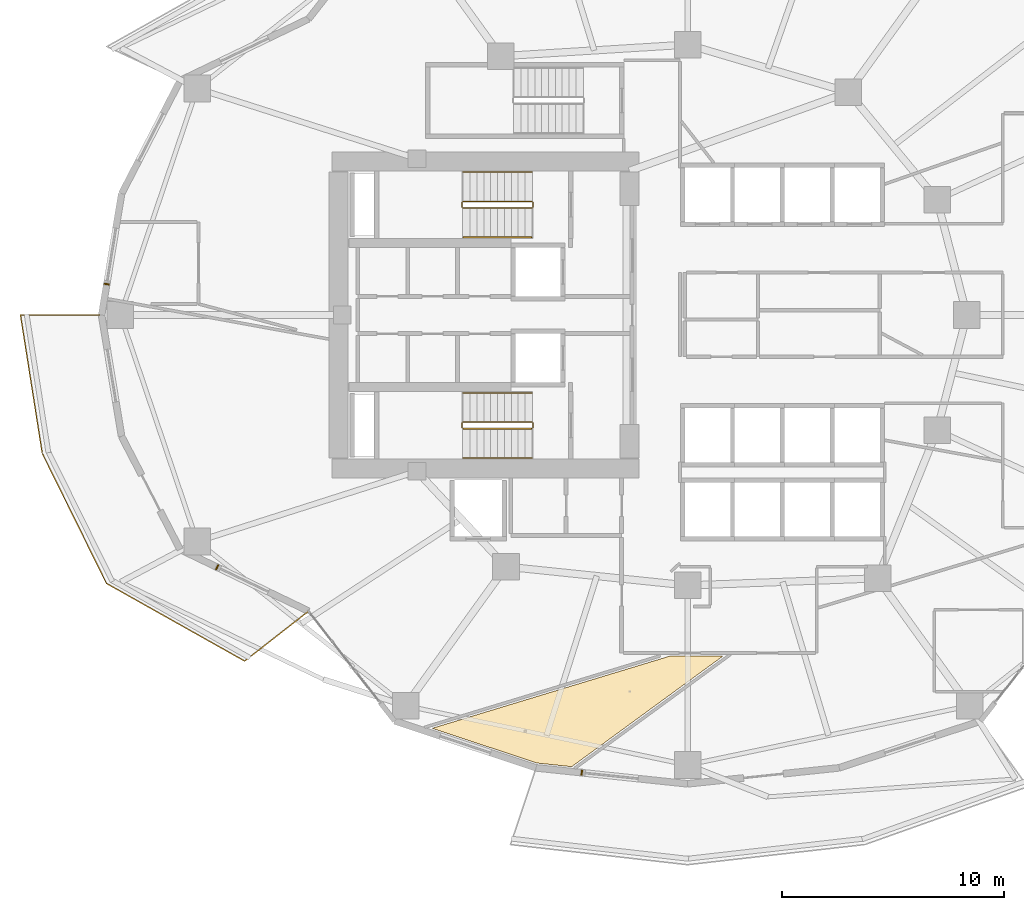
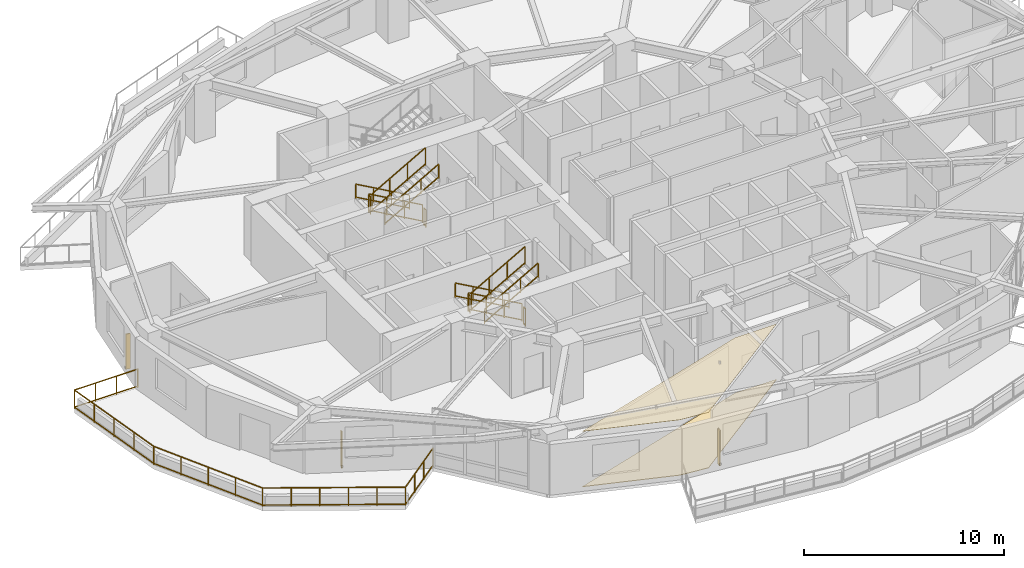
# One storey, part 17 of 19: 13 railings, 3 shading devices, 2 coverings.
"""IFC4 building model written with IfcOpenShell, lengths in metres."""

from ifc_helpers import new_model, si_unit, direction, frame, origin, origin_2d, place, context, subcontext, project, spatial, polyline, rectangle, outline, extrude, material, layer, layer_set, type_object, element, save


model = new_model("IFC4")

# Units and contexts
model_context = context("Model", 3, precision=1e-05, world=origin(), true_north=direction((0.0, 1.0)))
body_context = subcontext(model_context, "Body", "Model", "MODEL_VIEW")
ifc_project = project(units=[si_unit("LENGTHUNIT", "METRE"), si_unit("AREAUNIT", "SQUARE_METRE"), si_unit("VOLUMEUNIT", "CUBIC_METRE"), si_unit("PLANEANGLEUNIT", "RADIAN"), si_unit("MASSUNIT", "GRAM", prefix="KILO")], contexts=[model_context])

# Site, building, storey
site_placement = place(None, origin())
site = spatial("IfcSite", under=ifc_project, at=site_placement, CompositionType="ELEMENT")
building_placement = place(site_placement, origin())
building = spatial("IfcBuilding", under=site, at=building_placement, Name="Kolvaren Gate Tower and Convention Centre", CompositionType="ELEMENT")
storey_placement = place(building_placement, frame((0.0, 0.0, 68.85009765625)))
storey = spatial("IfcBuildingStorey", under=building, at=storey_placement, Name="L16", CompositionType="ELEMENT", Elevation=68.85009765625)

# Coverings
ifc_material_1 = material(Name="Perforated Mineral-Fibre Acoustic Ceiling Tile 18 mm", Category="gypsum")
ifc_layer_1 = layer(ifc_material_1, 0.01806640625)
ifc_layer_set_1 = layer_set([ifc_layer_1], Name="Perforated Mineral-Fibre Acoustic Ceiling Tile 18 mm")
covering_type_1 = type_object("IfcCoveringType", Name="ARCH-COV-CEIL-18", PredefinedType="CEILING", material=ifc_layer_set_1)
covering_1_placement = place(storey_placement, frame((0.0, 0.0, 3.389892578125)))
element("IfcCovering", 1, at=covering_1_placement, inside=storey, type_object=covering_type_1, Name="Legal Chambers Cellular Office Acoustic Suspended Ceiling", PredefinedType="CEILING", context=body_context, shape_type="SweptSolid", body=[
    extrude(outline(polyline([(24.89501953125, 6.6220703125), (23.3291015625, 6.787109375), (18.59912109375, 8.35400390625), (29.31689453125, 11.610107421875), (31.716064453125, 11.610107421875), (24.89501953125, 6.6220703125)])), origin(), (0.0, 0.0, 1.0), 0.01806640625),
])
ifc_material_2 = material(Name="Honed Sabana Limestone Terrazzo Flooring 30 mm", Category="masonry")
ifc_layer_2 = layer(ifc_material_2, 0.030029296875)
ifc_layer_set_2 = layer_set([ifc_layer_2], Name="Honed Sabana Limestone Terrazzo Flooring 30 mm")
covering_type_2 = type_object("IfcCoveringType", Name="ARCH-COV-FLR-30", PredefinedType="FLOORING", material=ifc_layer_set_2)
covering_2_placement = place(storey_placement, origin())
element("IfcCovering", 2, at=covering_2_placement, inside=storey, type_object=covering_type_2, Name="Legal Chambers Cellular Office Interior Finish Flooring", PredefinedType="FLOORING", context=body_context, shape_type="SweptSolid", body=[
    extrude(outline(polyline([(24.89501953125, 6.6220703125), (23.3291015625, 6.787109375), (18.59912109375, 8.35400390625), (29.31689453125, 11.610107421875), (31.716064453125, 11.610107421875), (24.89501953125, 6.6220703125)])), origin(), (0.0, 0.0, 1.0), 0.02978515625),
])

# Railings
ifc_material_3 = material(Name="Brushed Stainless Steel Grade 316L", Category="steel")
railing_type_1 = type_object("IfcRailingType", Name="ARCH-RL-GUARD-1150", PredefinedType="GUARDRAIL", material=ifc_material_3)
railing_1_placement = place(storey_placement, frame((23.10009765625, 32.1298828125, 0.1748046875)))
element("IfcRailing", 3, at=railing_1_placement, inside=storey, type_object=railing_type_1, Name="L16 ST-T1 stair guard 1", PredefinedType="GUARDRAIL", context=body_context, shape_type="SweptSolid", body=[
    extrude(rectangle(XDim=0.048095703125, YDim=0.048095703125, at=origin_2d()), frame((0.0, 0.0, 1.076171875), z_axis=(-0.870830938388, 0.0, 0.491582624537), x_axis=(0.0, -1.0, 0.0)), (0.0, 0.0, 1.0), 3.559814453125),
    extrude(rectangle(XDim=0.048095703125, YDim=0.048095703125, at=origin_2d()), frame((0.0, 0.0, 0.083984375), z_axis=(-0.870830938388, 0.0, 0.491582624537), x_axis=(0.0, -1.0, 0.0)), (0.0, 0.0, 1.0), 3.559814453125),
    extrude(rectangle(XDim=0.0419921875, YDim=0.0419921875, at=origin_2d()), origin(), (0.0, 0.0, 1.0), 1.050048828125),
    extrude(rectangle(XDim=0.0419921875, YDim=0.0419921875, at=origin_2d()), frame((-3.10009765625, 0.0, 1.75)), (0.0, 0.0, 1.0), 1.050048828125),
    extrude(rectangle(XDim=0.0419921875, YDim=0.0419921875, at=origin_2d()), frame((-1.033447265625, 0.0, 0.583251953125)), (0.0, 0.0, 1.0), 1.050048828125),
    extrude(rectangle(XDim=0.0419921875, YDim=0.0419921875, at=origin_2d()), frame((-2.066650390625, 0.0, 1.166748046875)), (0.0, 0.0, 1.0), 1.050048828125),
])
railing_2_placement = place(storey_placement, frame((19.949951171875, 32.080078125, 1.9248046875)))
element("IfcRailing", 4, at=railing_2_placement, inside=storey, type_object=railing_type_1, Name="L16 ST-T1 stair guard 2", PredefinedType="GUARDRAIL", context=body_context, shape_type="SweptSolid", body=[
    extrude(rectangle(XDim=0.048095703125, YDim=0.048095703125, at=origin_2d()), frame((0.0, 0.0, 1.076171875), z_axis=(0.0, -1.0, 0.0), x_axis=(1.0, 0.0, 0.0)), (0.0, 0.0, 1.0), 0.2001953125),
    extrude(rectangle(XDim=0.048095703125, YDim=0.048095703125, at=origin_2d()), frame((0.0, 0.0, 0.083984375), z_axis=(0.0, -1.0, 0.0), x_axis=(1.0, 0.0, 0.0)), (0.0, 0.0, 1.0), 0.2001953125),
    extrude(rectangle(XDim=0.0419921875, YDim=0.0419921875, at=origin_2d()), origin(), (0.0, 0.0, 1.0), 1.050048828125),
    extrude(rectangle(XDim=0.0419921875, YDim=0.0419921875, at=origin_2d()), frame((0.0, -0.2001953125, 0.0)), (0.0, 0.0, 1.0), 1.050048828125),
])
railing_3_placement = place(storey_placement, frame((20.0, 31.830078125, 2.099853515625)))
element("IfcRailing", 5, at=railing_3_placement, inside=storey, type_object=railing_type_1, Name="L16 ST-T1 stair guard 3", PredefinedType="GUARDRAIL", context=body_context, shape_type="SweptSolid", body=[
    extrude(rectangle(XDim=0.048095703125, YDim=0.048095703125, at=origin_2d()), frame((0.0, 0.0, 1.076171875), z_axis=(0.870830938388, 0.0, 0.491582624537), x_axis=(0.0, 1.0, 0.0)), (0.0, 0.0, 1.0), 3.559814453125),
    extrude(rectangle(XDim=0.048095703125, YDim=0.048095703125, at=origin_2d()), frame((0.0, 0.0, 0.083984375), z_axis=(0.870830938388, 0.0, 0.491582624537), x_axis=(0.0, 1.0, 0.0)), (0.0, 0.0, 1.0), 3.559814453125),
    extrude(rectangle(XDim=0.0419921875, YDim=0.0419921875, at=origin_2d()), origin(), (0.0, 0.0, 1.0), 1.050048828125),
    extrude(rectangle(XDim=0.0419921875, YDim=0.0419921875, at=origin_2d()), frame((3.10009765625, 0.0, 1.75)), (0.0, 0.0, 1.0), 1.050048828125),
    extrude(rectangle(XDim=0.0419921875, YDim=0.0419921875, at=origin_2d()), frame((1.033447265625, 0.0, 0.583251953125)), (0.0, 0.0, 1.0), 1.050048828125),
    extrude(rectangle(XDim=0.0419921875, YDim=0.0419921875, at=origin_2d()), frame((2.066650390625, 0.0, 1.166748046875)), (0.0, 0.0, 1.0), 1.050048828125),
])
railing_4_placement = place(storey_placement, frame((23.14990234375, 32.080078125, 0.0)))
element("IfcRailing", 6, at=railing_4_placement, inside=storey, type_object=railing_type_1, Name="L16 ST-T1 stair guard 4", PredefinedType="GUARDRAIL", context=body_context, shape_type="SweptSolid", body=[
    extrude(rectangle(XDim=0.048095703125, YDim=0.048095703125, at=origin_2d()), frame((0.0, 0.0, 1.076171875), z_axis=(0.0, -1.0, 0.0), x_axis=(1.0, 0.0, 0.0)), (0.0, 0.0, 1.0), 0.2001953125),
    extrude(rectangle(XDim=0.048095703125, YDim=0.048095703125, at=origin_2d()), frame((0.0, 0.0, 0.083984375), z_axis=(0.0, -1.0, 0.0), x_axis=(1.0, 0.0, 0.0)), (0.0, 0.0, 1.0), 0.2001953125),
    extrude(rectangle(XDim=0.0419921875, YDim=0.0419921875, at=origin_2d()), origin(), (0.0, 0.0, 1.0), 1.050048828125),
    extrude(rectangle(XDim=0.0419921875, YDim=0.0419921875, at=origin_2d()), frame((0.0, -0.2001953125, 0.0)), (0.0, 0.0, 1.0), 1.050048828125),
])
railing_5_placement = place(storey_placement, frame((23.10009765625, 22.169921875, 0.1748046875)))
element("IfcRailing", 7, at=railing_5_placement, inside=storey, type_object=railing_type_1, Name="L16 ST-T2 stair guard 1", PredefinedType="GUARDRAIL", context=body_context, shape_type="SweptSolid", body=[
    extrude(rectangle(XDim=0.048095703125, YDim=0.048095703125, at=origin_2d()), frame((0.0, 0.0, 1.076171875), z_axis=(-0.870830938388, 0.0, 0.491582624537), x_axis=(0.0, -1.0, 0.0)), (0.0, 0.0, 1.0), 3.559814453125),
    extrude(rectangle(XDim=0.048095703125, YDim=0.048095703125, at=origin_2d()), frame((0.0, 0.0, 0.083984375), z_axis=(-0.870830938388, 0.0, 0.491582624537), x_axis=(0.0, -1.0, 0.0)), (0.0, 0.0, 1.0), 3.559814453125),
    extrude(rectangle(XDim=0.0419921875, YDim=0.0419921875, at=origin_2d()), origin(), (0.0, 0.0, 1.0), 1.050048828125),
    extrude(rectangle(XDim=0.0419921875, YDim=0.0419921875, at=origin_2d()), frame((-3.10009765625, 0.0, 1.75)), (0.0, 0.0, 1.0), 1.050048828125),
    extrude(rectangle(XDim=0.0419921875, YDim=0.0419921875, at=origin_2d()), frame((-1.033447265625, 0.0, 0.583251953125)), (0.0, 0.0, 1.0), 1.050048828125),
    extrude(rectangle(XDim=0.0419921875, YDim=0.0419921875, at=origin_2d()), frame((-2.066650390625, 0.0, 1.166748046875)), (0.0, 0.0, 1.0), 1.050048828125),
])
railing_6_placement = place(storey_placement, frame((19.949951171875, 22.1201171875, 1.9248046875)))
element("IfcRailing", 8, at=railing_6_placement, inside=storey, type_object=railing_type_1, Name="L16 ST-T2 stair guard 2", PredefinedType="GUARDRAIL", context=body_context, shape_type="SweptSolid", body=[
    extrude(rectangle(XDim=0.048095703125, YDim=0.048095703125, at=origin_2d()), frame((0.0, 0.0, 1.076171875), z_axis=(0.0, -1.0, 0.0), x_axis=(1.0, 0.0, 0.0)), (0.0, 0.0, 1.0), 0.2001953125),
    extrude(rectangle(XDim=0.048095703125, YDim=0.048095703125, at=origin_2d()), frame((0.0, 0.0, 0.083984375), z_axis=(0.0, -1.0, 0.0), x_axis=(1.0, 0.0, 0.0)), (0.0, 0.0, 1.0), 0.2001953125),
    extrude(rectangle(XDim=0.0419921875, YDim=0.0419921875, at=origin_2d()), origin(), (0.0, 0.0, 1.0), 1.050048828125),
    extrude(rectangle(XDim=0.0419921875, YDim=0.0419921875, at=origin_2d()), frame((0.0, -0.2001953125, 0.0)), (0.0, 0.0, 1.0), 1.050048828125),
])
railing_7_placement = place(storey_placement, frame((20.0, 21.8701171875, 2.099853515625)))
element("IfcRailing", 9, at=railing_7_placement, inside=storey, type_object=railing_type_1, Name="L16 ST-T2 stair guard 3", PredefinedType="GUARDRAIL", context=body_context, shape_type="SweptSolid", body=[
    extrude(rectangle(XDim=0.048095703125, YDim=0.048095703125, at=origin_2d()), frame((0.0, 0.0, 1.076171875), z_axis=(0.870830938388, 0.0, 0.491582624537), x_axis=(0.0, 1.0, 0.0)), (0.0, 0.0, 1.0), 3.559814453125),
    extrude(rectangle(XDim=0.048095703125, YDim=0.048095703125, at=origin_2d()), frame((0.0, 0.0, 0.083984375), z_axis=(0.870830938388, 0.0, 0.491582624537), x_axis=(0.0, 1.0, 0.0)), (0.0, 0.0, 1.0), 3.559814453125),
    extrude(rectangle(XDim=0.0419921875, YDim=0.0419921875, at=origin_2d()), origin(), (0.0, 0.0, 1.0), 1.050048828125),
    extrude(rectangle(XDim=0.0419921875, YDim=0.0419921875, at=origin_2d()), frame((3.10009765625, 0.0, 1.75)), (0.0, 0.0, 1.0), 1.050048828125),
    extrude(rectangle(XDim=0.0419921875, YDim=0.0419921875, at=origin_2d()), frame((1.033447265625, 0.0, 0.583251953125)), (0.0, 0.0, 1.0), 1.050048828125),
    extrude(rectangle(XDim=0.0419921875, YDim=0.0419921875, at=origin_2d()), frame((2.066650390625, 0.0, 1.166748046875)), (0.0, 0.0, 1.0), 1.050048828125),
])
railing_8_placement = place(storey_placement, frame((23.14990234375, 22.1201171875, 0.0)))
element("IfcRailing", 10, at=railing_8_placement, inside=storey, type_object=railing_type_1, Name="L16 ST-T2 stair guard 4", PredefinedType="GUARDRAIL", context=body_context, shape_type="SweptSolid", body=[
    extrude(rectangle(XDim=0.048095703125, YDim=0.048095703125, at=origin_2d()), frame((0.0, 0.0, 1.076171875), z_axis=(0.0, -1.0, 0.0), x_axis=(1.0, 0.0, 0.0)), (0.0, 0.0, 1.0), 0.2001953125),
    extrude(rectangle(XDim=0.048095703125, YDim=0.048095703125, at=origin_2d()), frame((0.0, 0.0, 0.083984375), z_axis=(0.0, -1.0, 0.0), x_axis=(1.0, 0.0, 0.0)), (0.0, 0.0, 1.0), 0.2001953125),
    extrude(rectangle(XDim=0.0419921875, YDim=0.0419921875, at=origin_2d()), origin(), (0.0, 0.0, 1.0), 1.050048828125),
    extrude(rectangle(XDim=0.0419921875, YDim=0.0419921875, at=origin_2d()), frame((0.0, -0.2001953125, 0.0)), (0.0, 0.0, 1.0), 1.050048828125),
])
railing_9_placement = place(storey_placement, frame((3.6875, 27.0, 0.0)))
element("IfcRailing", 11, at=railing_9_placement, inside=storey, type_object=railing_type_1, Name="Tower L16 Terrace Perimeter Guardrail GR-2", PredefinedType="GUARDRAIL", context=body_context, shape_type="SweptSolid", body=[
    extrude(rectangle(XDim=0.048095703125, YDim=0.048095703125, at=origin_2d()), frame((-0.028076171875, 0.0, 1.1259765625), z_axis=(-1.0, 0.0, 0.0), x_axis=(0.0, -1.0, 0.0)), (0.0, 0.0, 1.0), 3.603759765625),
    extrude(rectangle(XDim=0.048095703125, YDim=0.048095703125, at=origin_2d()), frame((-0.028076171875, 0.0, 0.083984375), z_axis=(-1.0, 0.0, 0.0), x_axis=(0.0, -1.0, 0.0)), (0.0, 0.0, 1.0), 3.603759765625),
    extrude(rectangle(XDim=0.048095703125, YDim=0.048095703125, at=origin_2d()), frame((-3.655517578125, -0.027587890625, 1.1259765625), z_axis=(0.155418843943, -0.98784866399, 0.0), x_axis=(0.98784866399, 0.155418843943, 0.0)), (0.0, 0.0, 1.0), 6.261962890625),
    extrude(rectangle(XDim=0.048095703125, YDim=0.048095703125, at=origin_2d()), frame((-3.655517578125, -0.027587890625, 0.083984375), z_axis=(0.155418843943, -0.98784866399, 0.0), x_axis=(0.98784866399, 0.155418843943, 0.0)), (0.0, 0.0, 1.0), 6.261962890625),
    extrude(rectangle(XDim=0.048095703125, YDim=0.048095703125, at=origin_2d()), frame((-2.66552734375, -6.266357421875, 1.1259765625), z_axis=(0.442686636348, -0.89667638644, 0.0), x_axis=(0.89667638644, 0.442686636348, 0.0)), (0.0, 0.0, 1.0), 6.488525390625),
    extrude(rectangle(XDim=0.048095703125, YDim=0.048095703125, at=origin_2d()), frame((-2.66552734375, -6.266357421875, 0.083984375), z_axis=(0.442686636348, -0.89667638644, 0.0), x_axis=(0.89667638644, 0.442686636348, 0.0)), (0.0, 0.0, 1.0), 6.488525390625),
    extrude(rectangle(XDim=0.048095703125, YDim=0.048095703125, at=origin_2d()), frame((0.24365234375, -12.123291015625, 1.1259765625), z_axis=(0.871783301661, -0.489891697159, 0.0), x_axis=(0.489891697159, 0.871783301661, 0.0)), (0.0, 0.0, 1.0), 7.096435546875),
    extrude(rectangle(XDim=0.048095703125, YDim=0.048095703125, at=origin_2d()), frame((0.24365234375, -12.123291015625, 0.083984375), z_axis=(0.871783301661, -0.489891697159, 0.0), x_axis=(0.489891697159, 0.871783301661, 0.0)), (0.0, 0.0, 1.0), 7.096435546875),
    extrude(rectangle(XDim=0.048095703125, YDim=0.048095703125, at=origin_2d()), frame((6.476806640625, -15.59619140625, 1.1259765625), z_axis=(0.787988976981, 0.61568934712, 0.0), x_axis=(-0.61568934712, 0.787988976981, 0.0)), (0.0, 0.0, 1.0), 3.60400390625),
    extrude(rectangle(XDim=0.048095703125, YDim=0.048095703125, at=origin_2d()), frame((6.476806640625, -15.59619140625, 0.083984375), z_axis=(0.787988976981, 0.61568934712, 0.0), x_axis=(-0.61568934712, 0.787988976981, 0.0)), (0.0, 0.0, 1.0), 3.60400390625),
    extrude(rectangle(XDim=0.0419921875, YDim=0.0419921875, at=origin_2d()), origin(), (0.0, 0.0, 1.0), 1.14990234375),
    extrude(rectangle(XDim=0.0419921875, YDim=0.0419921875, at=origin_2d()), frame((-3.659912109375, 0.0, 0.0)), (0.0, 0.0, 1.0), 1.14990234375),
    extrude(rectangle(XDim=0.0419921875, YDim=0.0419921875, at=origin_2d()), frame((-1.219970703125, 0.0, 0.0)), (0.0, 0.0, 1.0), 1.099853515625),
    extrude(rectangle(XDim=0.0419921875, YDim=0.0419921875, at=origin_2d()), frame((-2.43994140625, 0.0, 0.0)), (0.0, 0.0, 1.0), 1.099853515625),
    extrude(rectangle(XDim=0.0419921875, YDim=0.0419921875, at=origin_2d()), frame((-2.677978515625, -6.2412109375, 0.0)), (0.0, 0.0, 1.0), 1.14990234375),
    extrude(rectangle(XDim=0.0419921875, YDim=0.0419921875, at=origin_2d()), frame((-3.41455078125, -1.560302734375, 0.0)), (0.0, 0.0, 1.0), 1.099853515625),
    extrude(rectangle(XDim=0.0419921875, YDim=0.0419921875, at=origin_2d()), frame((-3.1689453125, -3.12060546875, 0.0)), (0.0, 0.0, 1.0), 1.099853515625),
    extrude(rectangle(XDim=0.0419921875, YDim=0.0419921875, at=origin_2d()), frame((-2.92333984375, -4.680908203125, 0.0)), (0.0, 0.0, 1.0), 1.099853515625),
    extrude(rectangle(XDim=0.0419921875, YDim=0.0419921875, at=origin_2d()), frame((0.21923828125, -12.109619140625, 0.0)), (0.0, 0.0, 1.0), 1.14990234375),
    extrude(rectangle(XDim=0.0419921875, YDim=0.0419921875, at=origin_2d()), frame((-1.95361328125, -7.708251953125, 0.0)), (0.0, 0.0, 1.0), 1.099853515625),
    extrude(rectangle(XDim=0.0419921875, YDim=0.0419921875, at=origin_2d()), frame((-1.2294921875, -9.17529296875, 0.0)), (0.0, 0.0, 1.0), 1.099853515625),
    extrude(rectangle(XDim=0.0419921875, YDim=0.0419921875, at=origin_2d()), frame((-0.505126953125, -10.642578125, 0.0)), (0.0, 0.0, 1.0), 1.099853515625),
    extrude(rectangle(XDim=0.0419921875, YDim=0.0419921875, at=origin_2d()), frame((6.45458984375, -15.613525390625, 0.0)), (0.0, 0.0, 1.0), 1.14990234375),
    extrude(rectangle(XDim=0.0419921875, YDim=0.0419921875, at=origin_2d()), frame((1.46630859375, -12.810302734375, 0.0)), (0.0, 0.0, 1.0), 1.099853515625),
    extrude(rectangle(XDim=0.0419921875, YDim=0.0419921875, at=origin_2d()), frame((2.71337890625, -13.51123046875, 0.0)), (0.0, 0.0, 1.0), 1.099853515625),
    extrude(rectangle(XDim=0.0419921875, YDim=0.0419921875, at=origin_2d()), frame((3.96044921875, -14.2119140625, 0.0)), (0.0, 0.0, 1.0), 1.099853515625),
    extrude(rectangle(XDim=0.0419921875, YDim=0.0419921875, at=origin_2d()), frame((5.20751953125, -14.912841796875, 0.0)), (0.0, 0.0, 1.0), 1.099853515625),
    extrude(rectangle(XDim=0.0419921875, YDim=0.0419921875, at=origin_2d()), frame((9.338623046875, -13.360107421875, 0.0)), (0.0, 0.0, 1.0), 1.14990234375),
    extrude(rectangle(XDim=0.0419921875, YDim=0.0419921875, at=origin_2d()), frame((7.416015625, -14.8623046875, 0.0)), (0.0, 0.0, 1.0), 1.099853515625),
    extrude(rectangle(XDim=0.0419921875, YDim=0.0419921875, at=origin_2d()), frame((8.377197265625, -14.111328125, 0.0)), (0.0, 0.0, 1.0), 1.099853515625),
])
railing_type_2 = type_object("IfcRailingType", Name="ARCH-RL-HANDRAIL-920", PredefinedType="HANDRAIL", material=ifc_material_3)
railing_10_placement = place(storey_placement, frame((23.10009765625, 33.449951171875, 0.1748046875)))
element("IfcRailing", 12, at=railing_10_placement, inside=storey, type_object=railing_type_2, Name="L16 ST-T1 stair handrail 1", PredefinedType="HANDRAIL", context=body_context, shape_type="SweptSolid", body=[
    extrude(rectangle(XDim=0.048095703125, YDim=0.048095703125, at=origin_2d()), frame((0.0, 0.0, 0.8759765625), z_axis=(-0.870830938388, 0.0, 0.491582624537), x_axis=(0.0, -1.0, 0.0)), (0.0, 0.0, 1.0), 3.559814453125),
    extrude(rectangle(XDim=0.048095703125, YDim=0.048095703125, at=origin_2d()), frame((0.0, 0.0, 0.083984375), z_axis=(-0.870830938388, 0.0, 0.491582624537), x_axis=(0.0, -1.0, 0.0)), (0.0, 0.0, 1.0), 3.559814453125),
    extrude(rectangle(XDim=0.0419921875, YDim=0.0419921875, at=origin_2d()), origin(), (0.0, 0.0, 1.0), 0.849853515625),
    extrude(rectangle(XDim=0.0419921875, YDim=0.0419921875, at=origin_2d()), frame((-3.10009765625, 0.0, 1.75)), (0.0, 0.0, 1.0), 0.849853515625),
    extrude(rectangle(XDim=0.0419921875, YDim=0.0419921875, at=origin_2d()), frame((-1.033447265625, 0.0, 0.583251953125)), (0.0, 0.0, 1.0), 0.849853515625),
    extrude(rectangle(XDim=0.0419921875, YDim=0.0419921875, at=origin_2d()), frame((-2.066650390625, 0.0, 1.166748046875)), (0.0, 0.0, 1.0), 0.849853515625),
])
railing_11_placement = place(storey_placement, frame((20.0, 30.510009765625, 2.099853515625)))
element("IfcRailing", 13, at=railing_11_placement, inside=storey, type_object=railing_type_2, Name="L16 ST-T1 stair handrail 2", PredefinedType="HANDRAIL", context=body_context, shape_type="SweptSolid", body=[
    extrude(rectangle(XDim=0.048095703125, YDim=0.048095703125, at=origin_2d()), frame((0.0, 0.0, 0.8759765625), z_axis=(0.870830938388, 0.0, 0.491582624537), x_axis=(0.0, 1.0, 0.0)), (0.0, 0.0, 1.0), 3.559814453125),
    extrude(rectangle(XDim=0.048095703125, YDim=0.048095703125, at=origin_2d()), frame((0.0, 0.0, 0.083984375), z_axis=(0.870830938388, 0.0, 0.491582624537), x_axis=(0.0, 1.0, 0.0)), (0.0, 0.0, 1.0), 3.559814453125),
    extrude(rectangle(XDim=0.0419921875, YDim=0.0419921875, at=origin_2d()), origin(), (0.0, 0.0, 1.0), 0.849853515625),
    extrude(rectangle(XDim=0.0419921875, YDim=0.0419921875, at=origin_2d()), frame((3.10009765625, 0.0, 1.75)), (0.0, 0.0, 1.0), 0.849853515625),
    extrude(rectangle(XDim=0.0419921875, YDim=0.0419921875, at=origin_2d()), frame((1.033447265625, 0.0, 0.583251953125)), (0.0, 0.0, 1.0), 0.849853515625),
    extrude(rectangle(XDim=0.0419921875, YDim=0.0419921875, at=origin_2d()), frame((2.066650390625, 0.0, 1.166748046875)), (0.0, 0.0, 1.0), 0.849853515625),
])
railing_12_placement = place(storey_placement, frame((23.10009765625, 23.489990234375, 0.1748046875)))
element("IfcRailing", 14, at=railing_12_placement, inside=storey, type_object=railing_type_2, Name="L16 ST-T2 stair handrail 1", PredefinedType="HANDRAIL", context=body_context, shape_type="SweptSolid", body=[
    extrude(rectangle(XDim=0.048095703125, YDim=0.048095703125, at=origin_2d()), frame((0.0, 0.0, 0.8759765625), z_axis=(-0.870830938388, 0.0, 0.491582624537), x_axis=(0.0, -1.0, 0.0)), (0.0, 0.0, 1.0), 3.559814453125),
    extrude(rectangle(XDim=0.048095703125, YDim=0.048095703125, at=origin_2d()), frame((0.0, 0.0, 0.083984375), z_axis=(-0.870830938388, 0.0, 0.491582624537), x_axis=(0.0, -1.0, 0.0)), (0.0, 0.0, 1.0), 3.559814453125),
    extrude(rectangle(XDim=0.0419921875, YDim=0.0419921875, at=origin_2d()), origin(), (0.0, 0.0, 1.0), 0.849853515625),
    extrude(rectangle(XDim=0.0419921875, YDim=0.0419921875, at=origin_2d()), frame((-3.10009765625, 0.0, 1.75)), (0.0, 0.0, 1.0), 0.849853515625),
    extrude(rectangle(XDim=0.0419921875, YDim=0.0419921875, at=origin_2d()), frame((-1.033447265625, 0.0, 0.583251953125)), (0.0, 0.0, 1.0), 0.849853515625),
    extrude(rectangle(XDim=0.0419921875, YDim=0.0419921875, at=origin_2d()), frame((-2.066650390625, 0.0, 1.166748046875)), (0.0, 0.0, 1.0), 0.849853515625),
])
railing_13_placement = place(storey_placement, frame((20.0, 20.550048828125, 2.099853515625)))
element("IfcRailing", 15, at=railing_13_placement, inside=storey, type_object=railing_type_2, Name="L16 ST-T2 stair handrail 2", PredefinedType="HANDRAIL", context=body_context, shape_type="SweptSolid", body=[
    extrude(rectangle(XDim=0.048095703125, YDim=0.048095703125, at=origin_2d()), frame((0.0, 0.0, 0.8759765625), z_axis=(0.870830938388, 0.0, 0.491582624537), x_axis=(0.0, 1.0, 0.0)), (0.0, 0.0, 1.0), 3.559814453125),
    extrude(rectangle(XDim=0.048095703125, YDim=0.048095703125, at=origin_2d()), frame((0.0, 0.0, 0.083984375), z_axis=(0.870830938388, 0.0, 0.491582624537), x_axis=(0.0, 1.0, 0.0)), (0.0, 0.0, 1.0), 3.559814453125),
    extrude(rectangle(XDim=0.0419921875, YDim=0.0419921875, at=origin_2d()), origin(), (0.0, 0.0, 1.0), 0.849853515625),
    extrude(rectangle(XDim=0.0419921875, YDim=0.0419921875, at=origin_2d()), frame((3.10009765625, 0.0, 1.75)), (0.0, 0.0, 1.0), 0.849853515625),
    extrude(rectangle(XDim=0.0419921875, YDim=0.0419921875, at=origin_2d()), frame((1.033447265625, 0.0, 0.583251953125)), (0.0, 0.0, 1.0), 0.849853515625),
    extrude(rectangle(XDim=0.0419921875, YDim=0.0419921875, at=origin_2d()), frame((2.066650390625, 0.0, 1.166748046875)), (0.0, 0.0, 1.0), 0.849853515625),
])

# Shading devices
ifc_material_4 = material(Name="Kiln-Fired Bogota Terracotta Ceramic Louvre Profile", Category="masonry")
shading_device_type = type_object("IfcShadingDeviceType", Name="ARCH-SHD-FIN-180", PredefinedType="JALOUSIE", material=ifc_material_4)
for number, where, z_axis, x_axis, name in (
    (16, (3.9169921875, 28.395263671875, 0.219970703125), (0.0, 0.0, 1.0), (0.162375401515, 0.986729055508, 0.0), "Ceramic Vertical Brise-Soleil Fin FN-L16-11"),
    (17, (8.901611328125, 15.62158203125, 0.219970703125), (0.0, 0.0, 1.0), (0.901357634097, -0.433075530889, 0.0), "Ceramic Vertical Brise-Soleil Fin FN-L16-14"),
    (18, (25.35107421875, 6.352783203125, 0.219970703125), (0.0, 0.0, 1.0), (0.994498884311, -0.104747167526, 0.0), "Ceramic Vertical Brise-Soleil Fin FN-L16-17"),
):
    element("IfcShadingDevice", number, at=place(storey_placement, frame(where, z_axis=z_axis, x_axis=x_axis)), inside=storey, type_object=shading_device_type, Name=name, PredefinedType="JALOUSIE", context=body_context, shape_type="SweptSolid", body=[
        extrude(rectangle(XDim=0.06005859375, YDim=0.239990234375, at=origin_2d()), origin(), (0.0, 0.0, 1.0), 2.14990234375),
    ])

save(model, "model.ifc")
